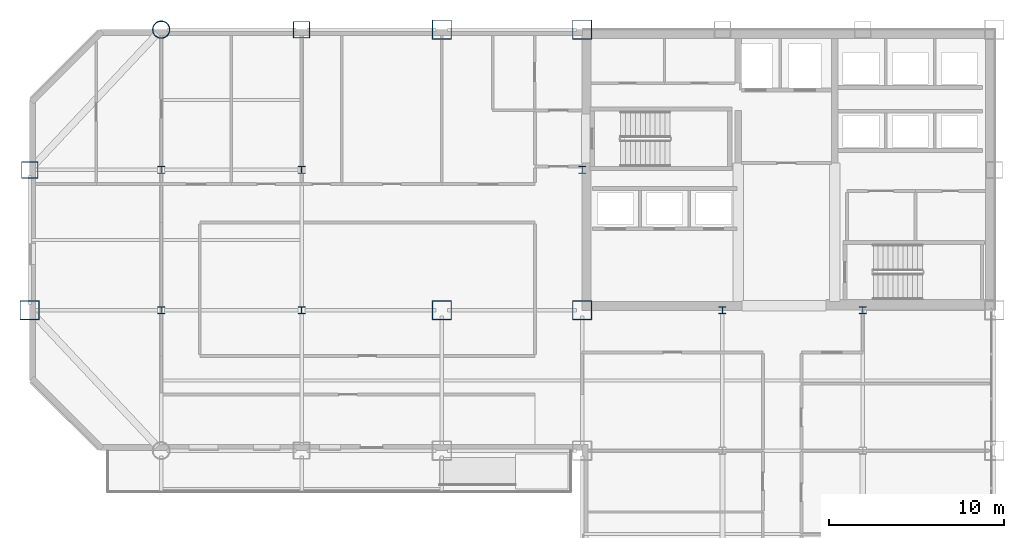
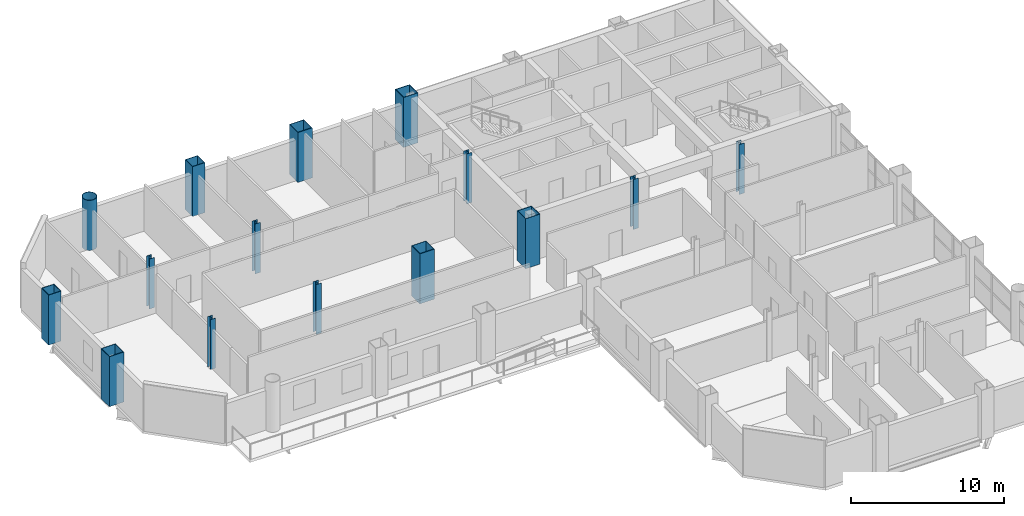
# One storey, part 3 of 16: 15 columns.
"""IFC4 building model written with IfcOpenShell, lengths in metres."""

from ifc_helpers import new_model, si_unit, direction, frame, origin, origin_2d, place, context, subcontext, project, spatial, hollow_rectangle, hollow_circle, i_section, extrude, material, material_profile, profile_set, type_object, element, save


model = new_model("IFC4")

# Units and contexts
model_context = context("Model", 3, precision=1e-05, world=origin(), true_north=direction((0.0, 1.0)))
body_context = subcontext(model_context, "Body", "Model", "MODEL_VIEW")
ifc_project = project(units=[si_unit("LENGTHUNIT", "METRE"), si_unit("AREAUNIT", "SQUARE_METRE"), si_unit("VOLUMEUNIT", "CUBIC_METRE"), si_unit("PLANEANGLEUNIT", "RADIAN"), si_unit("MASSUNIT", "GRAM", prefix="KILO")], contexts=[model_context])

# Site, building, storey
site_placement = place(None, origin())
site = spatial("IfcSite", under=ifc_project, at=site_placement, CompositionType="ELEMENT")
building_placement = place(site_placement, origin())
building = spatial("IfcBuilding", under=site, at=building_placement, Name="Qianrong Seaharbour Tower", CompositionType="ELEMENT")
storey_placement = place(building_placement, frame((0.0, 0.0, 119.0)))
storey = spatial("IfcBuildingStorey", under=building, at=storey_placement, Name="L28", CompositionType="ELEMENT", Elevation=119.0)

# Columns
ifc_material = material(Name="Structural steel SN490B", Category="steel")
ifc_material_profile_1 = material_profile(ifc_material, hollow_rectangle(XDim=1.10009765625, YDim=1.10009765625, WallThickness=0.0400390625, at=origin_2d()), Name="BOX1100x1100x40")
ifc_profile_set_1 = profile_set([ifc_material_profile_1], Name="Structural steel SN490B")
column_type_1 = type_object("IfcColumnType", Name="COL-CFT-1100", PredefinedType="COLUMN", material=ifc_profile_set_1)
for number, where, z_axis, x_axis, name in (
    (1, (9.0, 36.0, 0.0), (0.0, 0.0, 1.0), (1.0, 0.0, 0.0), "L28 Column MC-3 at G2/GF"),
    (2, (32.5, 36.0, 0.0), (0.0, 0.0, 1.0), (1.0, 0.0, 0.0), "L28 Column MC-3 at G5/GF"),
    (3, (32.5, 52.0, 0.0), (0.0, 0.0, 1.0), (1.0, 0.0, 0.0), "L28 Column MC-3 at G5/GH"),
    (4, (40.5, 36.0, 0.0), (0.0, 0.0, 1.0), (1.0, 0.0, 0.0), "L28 Column MC-3 at G6/GF"),
    (5, (40.5, 52.0, 0.0), (0.0, 0.0, 1.0), (1.0, 0.0, 0.0), "L28 Column MC-3 at G6/GH"),
):
    element("IfcColumn", number, at=place(storey_placement, frame(where, z_axis=z_axis, x_axis=x_axis)), inside=storey, type_object=column_type_1, Name=name, PredefinedType="COLUMN", context=body_context, shape_type="SweptSolid", body=[
        extrude(hollow_rectangle(XDim=1.10009765625, YDim=1.10009765625, WallThickness=0.0400390625, at=origin_2d()), origin(), (0.0, 0.0, 1.0), 4.0),
    ])
ifc_material_profile_2 = material_profile(ifc_material, hollow_circle(Radius=0.5, WallThickness=0.035888671875, at=origin_2d()), Name="CHS1000x36")
ifc_profile_set_2 = profile_set([ifc_material_profile_2], Name="Structural steel SN490B")
column_type_2 = type_object("IfcColumnType", Name="COL-CHS-1000", PredefinedType="COLUMN", material=ifc_profile_set_2)
column_placement = place(storey_placement, frame((16.5, 52.0, 0.0), z_axis=(0.0, 0.0, 1.0), x_axis=(1.0, 0.0, 0.0)))
element("IfcColumn", 6, at=column_placement, inside=storey, type_object=column_type_2, Name="L28 Column CC-2 at G3/GH", PredefinedType="COLUMN", context=body_context, shape_type="SweptSolid", body=[
    extrude(hollow_circle(Radius=0.5, WallThickness=0.035888671875, at=origin_2d()), origin(), (0.0, 0.0, 1.0), 4.0),
])
ifc_material_profile_3 = material_profile(ifc_material, i_section(OverallWidth=0.39990234375, OverallDepth=0.39990234375, WebThickness=0.012939453125, FlangeThickness=0.02099609375, FilletRadius=0.02197265625, at=origin_2d()), Name="H400x400x13x21")
ifc_profile_set_3 = profile_set([ifc_material_profile_3], Name="Structural steel SN490B")
column_type_3 = type_object("IfcColumnType", Name="COL-INT-H400", PredefinedType="COLUMN", material=ifc_profile_set_3)
for number, where, z_axis, x_axis, name in (
    (7, (16.5, 36.0, 0.0), (0.0, 0.0, 1.0), (1.0, 0.0, 0.0), "L28 Column IC-3 at G3/GF"),
    (8, (16.5, 44.0, 0.0), (0.0, 0.0, 1.0), (1.0, 0.0, 0.0), "L28 Column IC-3 at G3/GG"),
    (9, (24.5, 36.0, 0.0), (0.0, 0.0, 1.0), (1.0, 0.0, 0.0), "L28 Column IC-3 at G4/GF"),
    (10, (24.5, 44.0, 0.0), (0.0, 0.0, 1.0), (1.0, 0.0, 0.0), "L28 Column IC-3 at G4/GG"),
    (11, (40.5, 44.0, 0.0), (0.0, 0.0, 1.0), (1.0, 0.0, 0.0), "L28 Column IC-3 at G6/GG"),
    (12, (48.5, 36.0, 0.0), (0.0, 0.0, 1.0), (1.0, 0.0, 0.0), "L28 Column IC-3 at G7/GF"),
    (13, (56.5, 36.0, 0.0), (0.0, 0.0, 1.0), (1.0, 0.0, 0.0), "L28 Column IC-3 at G8/GF"),
):
    element("IfcColumn", number, at=place(storey_placement, frame(where, z_axis=z_axis, x_axis=x_axis)), inside=storey, type_object=column_type_3, Name=name, PredefinedType="COLUMN", context=body_context, shape_type="SweptSolid", body=[
        extrude(i_section(OverallWidth=0.39990234375, OverallDepth=0.39990234375, WebThickness=0.012939453125, FlangeThickness=0.02099609375, FilletRadius=0.02197265625, at=origin_2d()), origin(), (0.0, 0.0, 1.0), 4.0),
    ])
ifc_material_profile_4 = material_profile(ifc_material, hollow_rectangle(XDim=0.949951171875, YDim=0.949951171875, WallThickness=0.035888671875, at=origin_2d()), Name="BOX950x950x36")
ifc_profile_set_4 = profile_set([ifc_material_profile_4], Name="Structural steel SN490B")
column_type_4 = type_object("IfcColumnType", Name="COL-PER-950", PredefinedType="COLUMN", material=ifc_profile_set_4)
for number, where, z_axis, x_axis, name in (
    (14, (9.0, 44.0, 0.0), (0.0, 0.0, 1.0), (1.0, 0.0, 0.0), "L28 Column PC-2 at G2/GG"),
    (15, (24.5, 52.0, 0.0), (0.0, 0.0, 1.0), (1.0, 0.0, 0.0), "L28 Column PC-2 at G4/GH"),
):
    element("IfcColumn", number, at=place(storey_placement, frame(where, z_axis=z_axis, x_axis=x_axis)), inside=storey, type_object=column_type_4, Name=name, PredefinedType="COLUMN", context=body_context, shape_type="SweptSolid", body=[
        extrude(hollow_rectangle(XDim=0.949951171875, YDim=0.949951171875, WallThickness=0.035888671875, at=origin_2d()), origin(), (0.0, 0.0, 1.0), 4.0),
    ])

save(model, "model.ifc")
